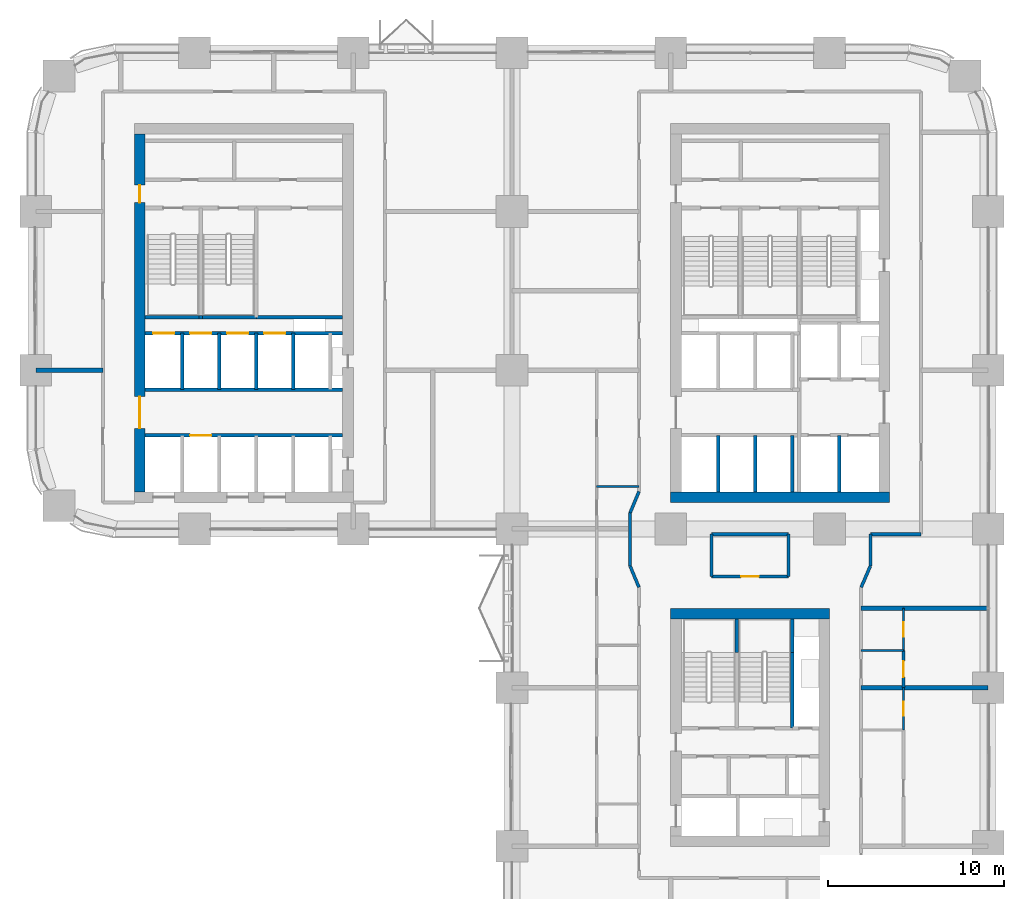
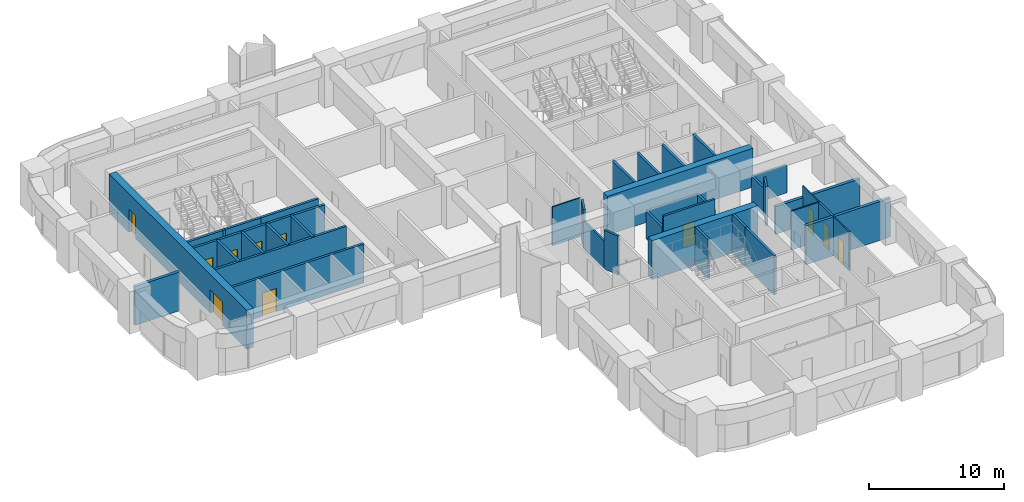
# One storey, part 13 of 18: 39 walls, 11 doors, 11 openings.
"""IFC4 building model written with IfcOpenShell, lengths in metres."""

from ifc_helpers import new_model, si_unit, direction, frame, frame_2d, origin, place, context, subcontext, project, spatial, rectangle, extrude, material, layer, layer_set, type_object, element, fill, save


model = new_model("IFC4")

# Units and contexts
model_context = context("Model", 3, precision=1e-05, world=origin(), true_north=direction((0.0, 1.0)))
body_context = subcontext(model_context, "Body", "Model", "MODEL_VIEW")
ifc_project = project(units=[si_unit("LENGTHUNIT", "METRE"), si_unit("AREAUNIT", "SQUARE_METRE"), si_unit("VOLUMEUNIT", "CUBIC_METRE"), si_unit("PLANEANGLEUNIT", "RADIAN"), si_unit("MASSUNIT", "GRAM", prefix="KILO")], contexts=[model_context])

# Site, building, storey
site_placement = place(None, origin())
site = spatial("IfcSite", under=ifc_project, at=site_placement, CompositionType="ELEMENT")
building_placement = place(site_placement, origin())
building = spatial("IfcBuilding", under=site, at=building_placement, Name="Tessera Arch", CompositionType="ELEMENT")
storey_placement = place(building_placement, frame((0.0, 0.0, 100.60009765625)))
storey = spatial("IfcBuildingStorey", under=building, at=storey_placement, Name="L23", CompositionType="ELEMENT", Elevation=100.60009765625)

# Wall
ifc_material_1 = material(Name="Concrete C70/85", Category="concrete")
ifc_layer_1 = layer(ifc_material_1, 0.60009765625)
ifc_layer_set_1 = layer_set([ifc_layer_1], Name="Core shell wall 600 C70-85")
wall_type_1 = type_object("IfcWallType", Name="Core shell wall 600 C70-85", PredefinedType="SHEAR", material=ifc_layer_set_1)
wall_1_placement = place(storey_placement, frame((36.0, 28.800048828125, 0.0), z_axis=(0.0, 0.0, 1.0), x_axis=(1.0, 0.0, 0.0)))
element("IfcWall", 1, at=wall_1_placement, inside=storey, type_object=wall_type_1, Name="L23 C1 core wall S", PredefinedType="SHEAR", context=body_context, shape_type="SweptSolid", body=[
    extrude(rectangle(XDim=12.39990234375, YDim=0.60009765625, at=frame_2d((6.199951171875, 0.0))), origin(), (0.0, 0.0, 1.0), 3.5),
])

# Wall, openings, doors
wall_2_placement = place(storey_placement, frame((5.89990234375, 29.10009765625, 0.0), z_axis=(0.0, 0.0, 1.0), x_axis=(0.0, 1.0, 0.0)))
wall_2 = element("IfcWall", 2, at=wall_2_placement, inside=storey, type_object=wall_type_1, Name="L23 C2 core wall W", PredefinedType="SHEAR", context=body_context, shape_type="SweptSolid", body=[
    extrude(rectangle(XDim=20.2998046875, YDim=0.60009765625, at=frame_2d((10.14990234375, 0.0))), origin(), (0.0, 0.0, 1.0), 3.5),
])
opening_1_placement = place(wall_2_placement, frame((3.60009765625, 0.0, 0.0)))
opening_1 = element("IfcOpeningElement", 3, at=opening_1_placement, cuts=wall_2, Name="Opening L23-C24", PredefinedType="OPENING", context=body_context, shape_type="SweptSolid", body=[
    extrude(rectangle(XDim=1.800048828125, YDim=2.10009765625, at=frame_2d((0.89990234375, 1.050048828125))), frame((0.0, 0.31005859375, 0.0), z_axis=(0.0, -1.0, 0.0), x_axis=(1.0, 0.0, 0.0)), (0.0, 0.0, 1.0), 0.6201171875),
])
opening_2_placement = place(wall_2_placement, frame((16.39990234375, 0.0, 0.0)))
opening_2 = element("IfcOpeningElement", 4, at=opening_2_placement, cuts=wall_2, Name="Opening L23-C27", PredefinedType="OPENING", context=body_context, shape_type="SweptSolid", body=[
    extrude(rectangle(XDim=1.0, YDim=2.10009765625, at=frame_2d((0.5, 1.050048828125))), frame((0.0, 0.31005859375, 0.0), z_axis=(0.0, -1.0, 0.0), x_axis=(1.0, 0.0, 0.0)), (0.0, 0.0, 1.0), 0.6201171875),
])
ifc_material_2 = material(Name="Steel door leaf", Category="steel")
door_type_1 = type_object("IfcDoorType", Name="Corridor door FD60 1000 x 2100", OperationType="SINGLE_SWING_LEFT", PredefinedType="DOOR", material=ifc_material_2)
door_1_placement = place(opening_2_placement, origin())
door_1 = element("IfcDoor", 5, at=door_1_placement, inside=storey, type_object=door_type_1, Name="L23 C2 door 14 C27 type D12", OperationType="SINGLE_SWING_RIGHT", OverallHeight=2.10009765625, OverallWidth=1.0, PredefinedType="DOOR", context=body_context, shape_type="SweptSolid", body=[
    extrude(rectangle(XDim=1.0, YDim=2.10009765625, at=frame_2d((0.5, 1.050048828125))), frame((0.0, 0.02490234375, 0.0), z_axis=(0.0, -1.0, 0.0), x_axis=(1.0, 0.0, 0.0)), (0.0, 0.0, 1.0), 0.050048828125),
])
fill(opening_2, door_1)
ifc_material_3 = material(Name="Glazed steel door leaf", Category="steel")
door_type_2 = type_object("IfcDoorType", Name="Lobby double door FD30S 1800 x 2100", OperationType="DOUBLE_DOOR_SINGLE_SWING", PredefinedType="DOOR", material=ifc_material_3)
door_2_placement = place(opening_1_placement, origin())
door_2 = element("IfcDoor", 6, at=door_2_placement, inside=storey, type_object=door_type_2, Name="L23 C2 door 11 C24 type D06", OperationType="DOUBLE_DOOR_SINGLE_SWING", OverallHeight=2.10009765625, OverallWidth=1.800048828125, PredefinedType="DOOR", context=body_context, shape_type="SweptSolid", body=[
    extrude(rectangle(XDim=1.800048828125, YDim=2.10009765625, at=frame_2d((0.89990234375, 1.050048828125))), frame((0.0, 0.02490234375, 0.0), z_axis=(0.0, -1.0, 0.0), x_axis=(1.0, 0.0, 0.0)), (0.0, 0.0, 1.0), 0.050048828125),
])
fill(opening_1, door_2)

# Wall
wall_3_placement = place(storey_placement, frame((36.0, 22.199951171875, 0.0), z_axis=(0.0, 0.0, 1.0), x_axis=(1.0, 0.0, 0.0)))
element("IfcWall", 7, at=wall_3_placement, inside=storey, type_object=wall_type_1, Name="L23 C3 core wall N", PredefinedType="SHEAR", context=body_context, shape_type="SweptSolid", body=[
    extrude(rectangle(XDim=9.0, YDim=0.60009765625, at=frame_2d((4.5, 0.0))), origin(), (0.0, 0.0, 1.0), 3.5),
])

# Wall, opening, door
ifc_material_4 = material(Name="Gypsum board on deep steel stud with mineral wool", Category="steel")
ifc_layer_2 = layer(ifc_material_4, 0.175048828125)
ifc_layer_set_2 = layer_set([ifc_layer_2], Name="Corridor wall 175 EI 60")
wall_type_2 = type_object("IfcWallType", Name="Corridor wall 175 EI 60", PredefinedType="PARTITIONING", material=ifc_layer_set_2)
wall_4_placement = place(storey_placement, frame((38.320068359375, 24.300048828125, 0.0), z_axis=(0.0, 0.0, 1.0), x_axis=(1.0, 0.0, 0.0)))
wall_4 = element("IfcWall", 8, at=wall_4_placement, inside=storey, type_object=wall_type_2, Name="L23 partition 2", PredefinedType="PARTITIONING", context=body_context, shape_type="SweptSolid", body=[
    extrude(rectangle(XDim=4.35986328125, YDim=0.175048828125, at=frame_2d((2.179931640625, 0.0))), origin(), (0.0, 0.0, 1.0), 3.5),
])
opening_3_placement = place(wall_4_placement, frame((1.679931640625, 0.0, 0.0)))
opening_3 = element("IfcOpeningElement", 9, at=opening_3_placement, cuts=wall_4, Name="Opening L23-D018", PredefinedType="OPENING", context=body_context, shape_type="SweptSolid", body=[
    extrude(rectangle(XDim=1.0, YDim=2.10009765625, at=frame_2d((0.5, 1.050048828125))), frame((0.0, 0.097412109375, 0.0), z_axis=(0.0, -1.0, 0.0), x_axis=(1.0, 0.0, 0.0)), (0.0, 0.0, 1.0), 0.195068359375),
])
ifc_material_5 = material(Name="Fire-rated door leaf")
door_type_3 = type_object("IfcDoorType", Name="Entrance door FD30S 1000 x 2100", OperationType="SINGLE_SWING_LEFT", PredefinedType="DOOR", material=ifc_material_5)
door_3_placement = place(opening_3_placement, origin())
door_3 = element("IfcDoor", 10, at=door_3_placement, inside=storey, type_object=door_type_3, Name="L23 door D018 type D03", OperationType="SINGLE_SWING_RIGHT", OverallHeight=2.10009765625, OverallWidth=1.0, PredefinedType="DOOR", context=body_context, shape_type="SweptSolid", body=[
    extrude(rectangle(XDim=1.0, YDim=2.10009765625, at=frame_2d((0.5, 1.050048828125))), frame((0.0, 0.02490234375, 0.0), z_axis=(0.0, -1.0, 0.0), x_axis=(1.0, 0.0, 0.0)), (0.0, 0.0, 1.0), 0.050048828125),
])
fill(opening_3, door_3)

# Walls
wall_5_placement = place(storey_placement, frame((38.320068359375, 26.699951171875, 0.0), z_axis=(0.0, 0.0, 1.0), x_axis=(1.0, 0.0, 0.0)))
element("IfcWall", 11, at=wall_5_placement, inside=storey, type_object=wall_type_2, Name="L23 partition 3", PredefinedType="PARTITIONING", context=body_context, shape_type="SweptSolid", body=[
    extrude(rectangle(XDim=4.35986328125, YDim=0.175048828125, at=frame_2d((2.179931640625, 0.0))), origin(), (0.0, 0.0, 1.0), 2.5),
])
wall_6_placement = place(storey_placement, frame((47.320068359375, 26.699951171875, 0.0), z_axis=(0.0, 0.0, 1.0), x_axis=(1.0, 0.0, 0.0)))
element("IfcWall", 12, at=wall_6_placement, inside=storey, type_object=wall_type_2, Name="L23 partition 4", PredefinedType="PARTITIONING", context=body_context, shape_type="SweptSolid", body=[
    extrude(rectangle(XDim=2.8798828125, YDim=0.175048828125, at=frame_2d((1.43994140625, 0.0))), origin(), (0.0, 0.0, 1.0), 2.5),
])
wall_7_placement = place(storey_placement, frame((33.699951171875, 24.889892578125, 0.0), z_axis=(0.0, 0.0, 1.0), x_axis=(0.0, 1.0, 0.0)))
element("IfcWall", 13, at=wall_7_placement, inside=storey, type_object=wall_type_2, Name="L23 partition 11", PredefinedType="PARTITIONING", context=body_context, shape_type="SweptSolid", body=[
    extrude(rectangle(XDim=3.030029296875, YDim=0.175048828125, at=frame_2d((1.51513671875, 0.0))), origin(), (0.0, 0.0, 1.0), 2.5),
])
for number, where, z_axis, x_axis, name in (
    (14, (38.320068359375, 24.300048828125, 0.0), (0.0, 0.0, 1.0), (0.0, 1.0, 0.0), "L23 partition 14"),
    (15, (42.679931640625, 24.300048828125, 0.0), (0.0, 0.0, 1.0), (0.0, 1.0, 0.0), "L23 partition 15"),
):
    element("IfcWall", number, at=place(storey_placement, frame(where, z_axis=z_axis, x_axis=x_axis)), inside=storey, type_object=wall_type_2, Name=name, PredefinedType="PARTITIONING", context=body_context, shape_type="SweptSolid", body=[
        extrude(rectangle(XDim=2.39990234375, YDim=0.175048828125, at=frame_2d((1.199951171875, 0.0))), origin(), (0.0, 0.0, 1.0), 2.5),
    ])
wall_8_placement = place(storey_placement, frame((47.320068359375, 24.889892578125, 0.0), z_axis=(0.0, 0.0, 1.0), x_axis=(0.0, 1.0, 0.0)))
element("IfcWall", 16, at=wall_8_placement, inside=storey, type_object=wall_type_2, Name="L23 partition 17", PredefinedType="PARTITIONING", context=body_context, shape_type="SweptSolid", body=[
    extrude(rectangle(XDim=1.81005859375, YDim=0.175048828125, at=frame_2d((0.905029296875, 0.0))), origin(), (0.0, 0.0, 1.0), 2.5),
])
wall_9_placement = place(storey_placement, frame((34.199951171875, 23.68994140625, 0.0), z_axis=(0.0, 0.0, 1.0), x_axis=(-0.384628719983, 0.923071366561, 0.0)))
element("IfcWall", 17, at=wall_9_placement, inside=storey, type_object=wall_type_2, Name="L23 partition 59", PredefinedType="PARTITIONING", context=body_context, shape_type="SweptSolid", body=[
    extrude(rectangle(XDim=1.300048828125, YDim=0.175048828125, at=frame_2d((0.64990234375, 0.0))), origin(), (0.0, 0.0, 1.0), 3.5),
])
wall_10_placement = place(storey_placement, frame((47.320068359375, 24.889892578125, 0.0), z_axis=(0.0, 0.0, 1.0), x_axis=(-0.397633632391, -0.917544273804, 0.0)))
element("IfcWall", 18, at=wall_10_placement, inside=storey, type_object=wall_type_2, Name="L23 partition 60", PredefinedType="PARTITIONING", context=body_context, shape_type="SweptSolid", body=[
    extrude(rectangle(XDim=1.307861328125, YDim=0.175048828125, at=frame_2d((0.65380859375, 0.0))), origin(), (0.0, 0.0, 1.0), 3.5),
])
wall_11_placement = place(storey_placement, frame((33.699951171875, 27.919921875, 0.0), z_axis=(0.0, 0.0, 1.0), x_axis=(0.384562051588, 0.923099143363, 0.0)))
element("IfcWall", 19, at=wall_11_placement, inside=storey, type_object=wall_type_2, Name="L23 partition 61", PredefinedType="PARTITIONING", context=body_context, shape_type="SweptSolid", body=[
    extrude(rectangle(XDim=1.30029296875, YDim=0.175048828125, at=frame_2d((0.650146484375, 0.0))), origin(), (0.0, 0.0, 1.0), 3.5),
])

# Wall, opening, door
ifc_material_6 = material(Name="Gypsum board on steel stud", Category="steel")
ifc_layer_3 = layer(ifc_material_6, 0.14990234375)
ifc_layer_set_3 = layer_set([ifc_layer_3], Name="Partition 150")
wall_type_3 = type_object("IfcWallType", Name="Partition 150", PredefinedType="PARTITIONING", material=ifc_layer_set_3)
wall_12_placement = place(storey_placement, frame((49.199951171875, 18.0, 0.0), z_axis=(0.0, 0.0, 1.0), x_axis=(0.0, 1.0, 0.0)))
wall_12 = element("IfcWall", 20, at=wall_12_placement, inside=storey, type_object=wall_type_3, Name="L23 partition 24", PredefinedType="PARTITIONING", context=body_context, shape_type="SweptSolid", body=[
    extrude(rectangle(XDim=2.10009765625, YDim=0.14990234375, at=frame_2d((1.050048828125, 0.0))), origin(), (0.0, 0.0, 1.0), 3.5),
])
opening_4_placement = place(wall_12_placement, frame((0.60009765625, 0.0, 0.0)))
opening_4 = element("IfcOpeningElement", 21, at=opening_4_placement, cuts=wall_12, Name="Opening L23-D013", PredefinedType="OPENING", context=body_context, shape_type="SweptSolid", body=[
    extrude(rectangle(XDim=0.89990234375, YDim=2.10009765625, at=frame_2d((0.449951171875, 1.050048828125))), frame((0.0, 0.0849609375, 0.0), z_axis=(0.0, -1.0, 0.0), x_axis=(1.0, 0.0, 0.0)), (0.0, 0.0, 1.0), 0.169921875),
])
ifc_material_7 = material(Name="Timber door leaf", Category="wood")
door_type_4 = type_object("IfcDoorType", Name="Room door 900 x 2100", OperationType="SINGLE_SWING_LEFT", PredefinedType="DOOR", material=ifc_material_7)
door_4_placement = place(opening_4_placement, origin())
door_4 = element("IfcDoor", 22, at=door_4_placement, inside=storey, type_object=door_type_4, Name="L23 door D013 type D01", OperationType="SINGLE_SWING_RIGHT", OverallHeight=2.10009765625, OverallWidth=0.89990234375, PredefinedType="DOOR", context=body_context, shape_type="SweptSolid", body=[
    extrude(rectangle(XDim=0.89990234375, YDim=2.10009765625, at=frame_2d((0.449951171875, 1.050048828125))), frame((0.0, 0.02490234375, 0.0), z_axis=(0.0, -1.0, 0.0), x_axis=(1.0, 0.0, 0.0)), (0.0, 0.0, 1.0), 0.050048828125),
])
fill(opening_4, door_4)

# Walls
ifc_material_8 = material(Name="Double gypsum board on twin steel stud with acoustic mineral wool", Category="steel")
ifc_layer_4 = layer(ifc_material_8, 0.25)
ifc_layer_set_4 = layer_set([ifc_layer_4], Name="Party wall 250 EI 60")
wall_type_4 = type_object("IfcWallType", Name="Party wall 250 EI 60", PredefinedType="PARTITIONING", material=ifc_layer_set_4)
wall_13_placement = place(storey_placement, frame((46.800048828125, 18.0, 0.0), z_axis=(0.0, 0.0, 1.0), x_axis=(1.0, 0.0, 0.0)))
element("IfcWall", 23, at=wall_13_placement, inside=storey, type_object=wall_type_4, Name="L23 partition 28", PredefinedType="PARTITIONING", context=body_context, shape_type="SweptSolid", body=[
    extrude(rectangle(XDim=7.199951171875, YDim=0.25, at=frame_2d((3.60009765625, 0.0))), origin(), (0.0, 0.0, 1.0), 3.5),
])
wall_14_placement = place(storey_placement, frame((46.800048828125, 22.5, 0.0), z_axis=(0.0, 0.0, 1.0), x_axis=(1.0, 0.0, 0.0)))
element("IfcWall", 24, at=wall_14_placement, inside=storey, type_object=wall_type_4, Name="L23 partition 29", PredefinedType="PARTITIONING", context=body_context, shape_type="SweptSolid", body=[
    extrude(rectangle(XDim=7.199951171875, YDim=0.25, at=frame_2d((3.60009765625, 0.0))), origin(), (0.0, 0.0, 1.0), 2.5),
])
wall_15_placement = place(storey_placement, frame((0.0, 36.0, 0.0), z_axis=(0.0, 0.0, 1.0), x_axis=(1.0, 0.0, 0.0)))
element("IfcWall", 25, at=wall_15_placement, inside=storey, type_object=wall_type_4, Name="L23 partition 31", PredefinedType="PARTITIONING", context=body_context, shape_type="SweptSolid", body=[
    extrude(rectangle(XDim=3.800048828125, YDim=0.25, at=frame_2d((1.89990234375, 0.0))), origin(), (0.0, 0.0, 1.0), 3.5),
])
ifc_material_9 = material(Name="Concrete C40/50", Category="concrete")
ifc_layer_5 = layer(ifc_material_9, 0.199951171875)
ifc_layer_set_5 = layer_set([ifc_layer_5], Name="Shaft wall 200 EI 120")
wall_type_5 = type_object("IfcWallType", Name="Shaft wall 200 EI 120", PredefinedType="SOLIDWALL", material=ifc_layer_set_5)
for number, where, z_axis, x_axis, name in (
    (26, (38.699951171875, 29.10009765625, 0.0), (0.0, 0.0, 1.0), (0.0, 1.0, 0.0), "L23 C1 shaft wall 1"),
    (27, (40.800048828125, 29.10009765625, 0.0), (0.0, 0.0, 1.0), (0.0, 1.0, 0.0), "L23 C1 shaft wall 6"),
    (28, (42.89990234375, 29.10009765625, 0.0), (0.0, 0.0, 1.0), (0.0, 1.0, 0.0), "L23 C1 shaft wall 8"),
    (29, (45.550048828125, 29.10009765625, 0.0), (0.0, 0.0, 1.0), (0.0, 1.0, 0.0), "L23 C1 shaft wall 13"),
):
    element("IfcWall", number, at=place(storey_placement, frame(where, z_axis=z_axis, x_axis=x_axis)), inside=storey, type_object=wall_type_5, Name=name, PredefinedType="SOLIDWALL", context=body_context, shape_type="SweptSolid", body=[
        extrude(rectangle(XDim=3.199951171875, YDim=0.199951171875, at=frame_2d((1.60009765625, 0.0))), origin(), (0.0, 0.0, 1.0), 3.5),
    ])
for number, where, z_axis, x_axis, name in (
    (30, (8.300048828125, 34.89990234375, 0.0), (0.0, 0.0, 1.0), (0.0, 1.0, 0.0), "L23 C2 shaft wall 2"),
    (31, (10.39990234375, 34.89990234375, 0.0), (0.0, 0.0, 1.0), (0.0, 1.0, 0.0), "L23 C2 shaft wall 6"),
    (32, (12.5, 34.89990234375, 0.0), (0.0, 0.0, 1.0), (0.0, 1.0, 0.0), "L23 C2 shaft wall 9"),
    (33, (14.60009765625, 34.89990234375, 0.0), (0.0, 0.0, 1.0), (0.0, 1.0, 0.0), "L23 C2 shaft wall 13"),
):
    element("IfcWall", number, at=place(storey_placement, frame(where, z_axis=z_axis, x_axis=x_axis)), inside=storey, type_object=wall_type_5, Name=name, PredefinedType="SOLIDWALL", context=body_context, shape_type="SweptSolid", body=[
        extrude(rectangle(XDim=3.2001953125, YDim=0.199951171875, at=frame_2d((1.60009765625, 0.0))), origin(), (0.0, 0.0, 1.0), 3.5),
    ])

# Wall, opening, door
wall_16_placement = place(storey_placement, frame((6.199951171875, 32.300048828125, 0.0), z_axis=(0.0, 0.0, 1.0), x_axis=(1.0, 0.0, 0.0)))
wall_16 = element("IfcWall", 34, at=wall_16_placement, inside=storey, type_object=wall_type_5, Name="L23 C2 shaft wall 16", PredefinedType="SOLIDWALL", context=body_context, shape_type="SweptSolid", body=[
    extrude(rectangle(XDim=11.199951171875, YDim=0.199951171875, at=frame_2d((5.60009765625, 0.0))), origin(), (0.0, 0.0, 1.0), 3.5),
])
opening_5_placement = place(wall_16_placement, frame((2.550048828125, 0.0, 0.0)))
opening_5 = element("IfcOpeningElement", 35, at=opening_5_placement, cuts=wall_16, Name="Opening L23-C15", PredefinedType="OPENING", context=body_context, shape_type="SweptSolid", body=[
    extrude(rectangle(XDim=1.199951171875, YDim=2.10009765625, at=frame_2d((0.60009765625, 1.050048828125))), frame((0.0, 0.10986328125, 0.0), z_axis=(0.0, -1.0, 0.0), x_axis=(1.0, 0.0, 0.0)), (0.0, 0.0, 1.0), 0.219970703125),
])
ifc_material_10 = material(Name="Stainless steel AISI 304", Category="steel")
door_type_5 = type_object("IfcDoorType", Name="Sliding landing door 1200 x 2100", OperationType="SLIDING_TO_LEFT", PredefinedType="DOOR", material=ifc_material_10)
door_5_placement = place(opening_5_placement, origin())
door_5 = element("IfcDoor", 36, at=door_5_placement, inside=storey, type_object=door_type_5, Name="L23 LR2 lift landing door C15 type LD", OperationType="SLIDING_TO_LEFT", OverallHeight=2.10009765625, OverallWidth=1.199951171875, PredefinedType="DOOR", context=body_context, shape_type="SweptSolid", body=[
    extrude(rectangle(XDim=1.199951171875, YDim=2.10009765625, at=frame_2d((0.60009765625, 1.050048828125))), frame((0.0, 0.02490234375, 0.0), z_axis=(0.0, -1.0, 0.0), x_axis=(1.0, 0.0, 0.0)), (0.0, 0.0, 1.0), 0.050048828125),
])
fill(opening_5, door_5)

# Wall
wall_17_placement = place(storey_placement, frame((6.199951171875, 34.89990234375, 0.0), z_axis=(0.0, 0.0, 1.0), x_axis=(1.0, 0.0, 0.0)))
element("IfcWall", 37, at=wall_17_placement, inside=storey, type_object=wall_type_5, Name="L23 C2 shaft wall 17", PredefinedType="SOLIDWALL", context=body_context, shape_type="SweptSolid", body=[
    extrude(rectangle(XDim=11.199951171875, YDim=0.199951171875, at=frame_2d((5.60009765625, 0.0))), origin(), (0.0, 0.0, 1.0), 3.5),
])

# Wall, openings, doors
wall_18_placement = place(storey_placement, frame((6.199951171875, 38.10009765625, 0.0), z_axis=(0.0, 0.0, 1.0), x_axis=(1.0, 0.0, 0.0)))
wall_18 = element("IfcWall", 38, at=wall_18_placement, inside=storey, type_object=wall_type_5, Name="L23 C2 shaft wall 18", PredefinedType="SOLIDWALL", context=body_context, shape_type="SweptSolid", body=[
    extrude(rectangle(XDim=11.199951171875, YDim=0.199951171875, at=frame_2d((5.60009765625, 0.0))), origin(), (0.0, 0.0, 1.0), 3.5),
])
opening_6_placement = place(wall_18_placement, frame((0.449951171875, 0.0, 0.0)))
opening_6 = element("IfcOpeningElement", 39, at=opening_6_placement, cuts=wall_18, Name="Opening L23-C18", PredefinedType="OPENING", context=body_context, shape_type="SweptSolid", body=[
    extrude(rectangle(XDim=1.199951171875, YDim=2.10009765625, at=frame_2d((0.60009765625, 1.050048828125))), frame((0.0, 0.10986328125, 0.0), z_axis=(0.0, -1.0, 0.0), x_axis=(1.0, 0.0, 0.0)), (0.0, 0.0, 1.0), 0.219970703125),
])
opening_7_placement = place(wall_18_placement, frame((2.550048828125, 0.0, 0.0)))
opening_7 = element("IfcOpeningElement", 40, at=opening_7_placement, cuts=wall_18, Name="Opening L23-C19", PredefinedType="OPENING", context=body_context, shape_type="SweptSolid", body=[
    extrude(rectangle(XDim=1.199951171875, YDim=2.10009765625, at=frame_2d((0.60009765625, 1.050048828125))), frame((0.0, 0.10986328125, 0.0), z_axis=(0.0, -1.0, 0.0), x_axis=(1.0, 0.0, 0.0)), (0.0, 0.0, 1.0), 0.219970703125),
])
opening_8_placement = place(wall_18_placement, frame((4.64990234375, 0.0, 0.0)))
opening_8 = element("IfcOpeningElement", 41, at=opening_8_placement, cuts=wall_18, Name="Opening L23-C20", PredefinedType="OPENING", context=body_context, shape_type="SweptSolid", body=[
    extrude(rectangle(XDim=1.199951171875, YDim=2.10009765625, at=frame_2d((0.60009765625, 1.050048828125))), frame((0.0, 0.10986328125, 0.0), z_axis=(0.0, -1.0, 0.0), x_axis=(1.0, 0.0, 0.0)), (0.0, 0.0, 1.0), 0.219970703125),
])
opening_9_placement = place(wall_18_placement, frame((6.75, 0.0, 0.0)))
opening_9 = element("IfcOpeningElement", 42, at=opening_9_placement, cuts=wall_18, Name="Opening L23-C21", PredefinedType="OPENING", context=body_context, shape_type="SweptSolid", body=[
    extrude(rectangle(XDim=1.199951171875, YDim=2.10009765625, at=frame_2d((0.60009765625, 1.050048828125))), frame((0.0, 0.10986328125, 0.0), z_axis=(0.0, -1.0, 0.0), x_axis=(1.0, 0.0, 0.0)), (0.0, 0.0, 1.0), 0.219970703125),
])
door_6_placement = place(opening_6_placement, origin())
door_6 = element("IfcDoor", 43, at=door_6_placement, inside=storey, type_object=door_type_5, Name="L23 LR5 lift landing door C18 type LD", OperationType="SLIDING_TO_LEFT", OverallHeight=2.10009765625, OverallWidth=1.199951171875, PredefinedType="DOOR", context=body_context, shape_type="SweptSolid", body=[
    extrude(rectangle(XDim=1.199951171875, YDim=2.10009765625, at=frame_2d((0.60009765625, 1.050048828125))), frame((0.0, 0.02490234375, 0.0), z_axis=(0.0, -1.0, 0.0), x_axis=(1.0, 0.0, 0.0)), (0.0, 0.0, 1.0), 0.050048828125),
])
fill(opening_6, door_6)
door_7_placement = place(opening_7_placement, origin())
door_7 = element("IfcDoor", 44, at=door_7_placement, inside=storey, type_object=door_type_5, Name="L23 LR6 lift landing door C19 type LD", OperationType="SLIDING_TO_LEFT", OverallHeight=2.10009765625, OverallWidth=1.199951171875, PredefinedType="DOOR", context=body_context, shape_type="SweptSolid", body=[
    extrude(rectangle(XDim=1.199951171875, YDim=2.10009765625, at=frame_2d((0.60009765625, 1.050048828125))), frame((0.0, 0.02490234375, 0.0), z_axis=(0.0, -1.0, 0.0), x_axis=(1.0, 0.0, 0.0)), (0.0, 0.0, 1.0), 0.050048828125),
])
fill(opening_7, door_7)
door_8_placement = place(opening_8_placement, origin())
door_8 = element("IfcDoor", 45, at=door_8_placement, inside=storey, type_object=door_type_5, Name="L23 LR7 lift landing door C20 type LD", OperationType="SLIDING_TO_LEFT", OverallHeight=2.10009765625, OverallWidth=1.199951171875, PredefinedType="DOOR", context=body_context, shape_type="SweptSolid", body=[
    extrude(rectangle(XDim=1.199951171875, YDim=2.10009765625, at=frame_2d((0.60009765625, 1.050048828125))), frame((0.0, 0.02490234375, 0.0), z_axis=(0.0, -1.0, 0.0), x_axis=(1.0, 0.0, 0.0)), (0.0, 0.0, 1.0), 0.050048828125),
])
fill(opening_8, door_8)
door_9_placement = place(opening_9_placement, origin())
door_9 = element("IfcDoor", 46, at=door_9_placement, inside=storey, type_object=door_type_5, Name="L23 LR8 lift landing door C21 type LD", OperationType="SLIDING_TO_LEFT", OverallHeight=2.10009765625, OverallWidth=1.199951171875, PredefinedType="DOOR", context=body_context, shape_type="SweptSolid", body=[
    extrude(rectangle(XDim=1.199951171875, YDim=2.10009765625, at=frame_2d((0.60009765625, 1.050048828125))), frame((0.0, 0.02490234375, 0.0), z_axis=(0.0, -1.0, 0.0), x_axis=(1.0, 0.0, 0.0)), (0.0, 0.0, 1.0), 0.050048828125),
])
fill(opening_9, door_9)

# Walls
wall_19_placement = place(storey_placement, frame((12.5, 39.0, 0.0), z_axis=(0.0, 0.0, 1.0), x_axis=(1.0, 0.0, 0.0)))
element("IfcWall", 47, at=wall_19_placement, inside=storey, type_object=wall_type_5, Name="L23 C2 shaft wall 19", PredefinedType="SOLIDWALL", context=body_context, shape_type="SweptSolid", body=[
    extrude(rectangle(XDim=4.89990234375, YDim=0.199951171875, at=frame_2d((2.449951171875, 0.0))), origin(), (0.0, 0.0, 1.0), 3.5),
])
ifc_material_11 = material(Name="Concrete C40/50", Category="concrete")
ifc_layer_6 = layer(ifc_material_11, 0.199951171875)
ifc_layer_set_6 = layer_set([ifc_layer_6], Name="Stair well wall 200 REI 180")
wall_type_6 = type_object("IfcWallType", Name="Stair well wall 200 REI 180", PredefinedType="SOLIDWALL", material=ifc_layer_set_6)
wall_20_placement = place(storey_placement, frame((6.199951171875, 39.0, 0.0), z_axis=(0.0, 0.0, 1.0), x_axis=(1.0, 0.0, 0.0)))
element("IfcWall", 48, at=wall_20_placement, inside=storey, type_object=wall_type_6, Name="L23 C2 shaft wall 20", PredefinedType="SOLIDWALL", context=body_context, shape_type="SweptSolid", body=[
    extrude(rectangle(XDim=3.050048828125, YDim=0.199951171875, at=frame_2d((1.52490234375, 0.0))), origin(), (0.0, 0.0, 1.0), 3.5),
])
wall_21_placement = place(storey_placement, frame((9.25, 39.0, 0.0), z_axis=(0.0, 0.0, 1.0), x_axis=(1.0, 0.0, 0.0)))
element("IfcWall", 49, at=wall_21_placement, inside=storey, type_object=wall_type_6, Name="L23 C2 shaft wall 21", PredefinedType="SOLIDWALL", context=body_context, shape_type="SweptSolid", body=[
    extrude(rectangle(XDim=0.199951171875, YDim=0.199951171875, at=frame_2d((0.10009765625, 0.0))), origin(), (0.0, 0.0, 1.0), 3.5),
])
wall_22_placement = place(storey_placement, frame((9.449951171875, 39.0, 0.0), z_axis=(0.0, 0.0, 1.0), x_axis=(1.0, 0.0, 0.0)))
element("IfcWall", 50, at=wall_22_placement, inside=storey, type_object=wall_type_6, Name="L23 C2 shaft wall 22", PredefinedType="SOLIDWALL", context=body_context, shape_type="SweptSolid", body=[
    extrude(rectangle(XDim=3.050048828125, YDim=0.199951171875, at=frame_2d((1.52490234375, 0.0))), origin(), (0.0, 0.0, 1.0), 3.5),
])
wall_23_placement = place(storey_placement, frame((39.75, 20.0, 0.0), z_axis=(0.0, 0.0, 1.0), x_axis=(0.0, 1.0, 0.0)))
element("IfcWall", 51, at=wall_23_placement, inside=storey, type_object=wall_type_6, Name="L23 C3 shaft wall 3", PredefinedType="SOLIDWALL", context=body_context, shape_type="SweptSolid", body=[
    extrude(rectangle(XDim=1.89990234375, YDim=0.199951171875, at=frame_2d((0.949951171875, 0.0))), origin(), (0.0, 0.0, 1.0), 3.5),
])
wall_24_placement = place(storey_placement, frame((42.89990234375, 15.699951171875, 0.0), z_axis=(0.0, 0.0, 1.0), x_axis=(0.0, 1.0, 0.0)))
element("IfcWall", 52, at=wall_24_placement, inside=storey, type_object=wall_type_6, Name="L23 C3 shaft wall 6", PredefinedType="SOLIDWALL", context=body_context, shape_type="SweptSolid", body=[
    extrude(rectangle(XDim=4.300048828125, YDim=0.199951171875, at=frame_2d((2.14990234375, 0.0))), origin(), (0.0, 0.0, 1.0), 3.5),
])
wall_25_placement = place(storey_placement, frame((42.89990234375, 20.0, 0.0), z_axis=(0.0, 0.0, 1.0), x_axis=(0.0, 1.0, 0.0)))
element("IfcWall", 53, at=wall_25_placement, inside=storey, type_object=wall_type_6, Name="L23 C3 shaft wall 7", PredefinedType="SOLIDWALL", context=body_context, shape_type="SweptSolid", body=[
    extrude(rectangle(XDim=1.89990234375, YDim=0.199951171875, at=frame_2d((0.949951171875, 0.0))), origin(), (0.0, 0.0, 1.0), 3.5),
])
ifc_material_12 = material(Name="Moisture-resistant board on pre-plumbed steel stud", Category="steel")
ifc_layer_7 = layer(ifc_material_12, 0.10009765625)
ifc_layer_set_7 = layer_set([ifc_layer_7], Name="Wet wall 100")
wall_type_7 = type_object("IfcWallType", Name="Wet wall 100", PredefinedType="PARTITIONING", material=ifc_layer_set_7)
for number, where, z_axis, x_axis, name in (
    (54, (46.800048828125, 20.10009765625, 0.0), (0.0, 0.0, 1.0), (1.0, 0.0, 0.0), "L23 partition 50"),
    (55, (31.800048828125, 29.39990234375, 0.0), (0.0, 0.0, 1.0), (1.0, 0.0, 0.0), "L23 partition 52"),
):
    element("IfcWall", number, at=place(storey_placement, frame(where, z_axis=z_axis, x_axis=x_axis)), inside=storey, type_object=wall_type_7, Name=name, PredefinedType="PARTITIONING", context=body_context, shape_type="SweptSolid", body=[
        extrude(rectangle(XDim=2.39990234375, YDim=0.10009765625, at=frame_2d((1.199951171875, 0.0))), origin(), (0.0, 0.0, 1.0), 3.5),
    ])

# Wall, opening, door
wall_26_placement = place(storey_placement, frame((49.199951171875, 15.60009765625, 0.0), z_axis=(0.0, 0.0, 1.0), x_axis=(0.0, 1.0, 0.0)))
wall_26 = element("IfcWall", 56, at=wall_26_placement, inside=storey, type_object=wall_type_7, Name="L23 partition 57", PredefinedType="PARTITIONING", context=body_context, shape_type="SweptSolid", body=[
    extrude(rectangle(XDim=2.39990234375, YDim=0.10009765625, at=frame_2d((1.199951171875, 0.0))), origin(), (0.0, 0.0, 1.0), 3.5),
])
opening_10_placement = place(wall_26_placement, frame((0.800048828125, 0.0, 0.0)))
opening_10 = element("IfcOpeningElement", 57, at=opening_10_placement, cuts=wall_26, Name="Opening L23-D011", PredefinedType="OPENING", context=body_context, shape_type="SweptSolid", body=[
    extrude(rectangle(XDim=0.800048828125, YDim=2.10009765625, at=frame_2d((0.39990234375, 1.050048828125))), frame((0.0, 0.06005859375, 0.0), z_axis=(0.0, -1.0, 0.0), x_axis=(1.0, 0.0, 0.0)), (0.0, 0.0, 1.0), 0.1201171875),
])
ifc_material_13 = material(Name="Timber door leaf", Category="wood")
door_type_6 = type_object("IfcDoorType", Name="En-suite door 800 x 2100", OperationType="SINGLE_SWING_LEFT", PredefinedType="DOOR", material=ifc_material_13)
door_10_placement = place(opening_10_placement, origin())
door_10 = element("IfcDoor", 58, at=door_10_placement, inside=storey, type_object=door_type_6, Name="L23 door D011 type D02", OperationType="SINGLE_SWING_RIGHT", OverallHeight=2.10009765625, OverallWidth=0.800048828125, PredefinedType="DOOR", context=body_context, shape_type="SweptSolid", body=[
    extrude(rectangle(XDim=0.800048828125, YDim=2.10009765625, at=frame_2d((0.39990234375, 1.050048828125))), frame((0.0, 0.02490234375, 0.0), z_axis=(0.0, -1.0, 0.0), x_axis=(1.0, 0.0, 0.0)), (0.0, 0.0, 1.0), 0.050048828125),
])
fill(opening_10, door_10)

wall_27_placement = place(storey_placement, frame((49.199951171875, 20.10009765625, 0.0), z_axis=(0.0, 0.0, 1.0), x_axis=(0.0, 1.0, 0.0)))
wall_27 = element("IfcWall", 59, at=wall_27_placement, inside=storey, type_object=wall_type_7, Name="L23 partition 58", PredefinedType="PARTITIONING", context=body_context, shape_type="SweptSolid", body=[
    extrude(rectangle(XDim=2.39990234375, YDim=0.10009765625, at=frame_2d((1.199951171875, 0.0))), origin(), (0.0, 0.0, 1.0), 3.5),
])
opening_11_placement = place(wall_27_placement, frame((0.800048828125, 0.0, 0.0)))
opening_11 = element("IfcOpeningElement", 60, at=opening_11_placement, cuts=wall_27, Name="Opening L23-D014", PredefinedType="OPENING", context=body_context, shape_type="SweptSolid", body=[
    extrude(rectangle(XDim=0.800048828125, YDim=2.10009765625, at=frame_2d((0.39990234375, 1.050048828125))), frame((0.0, 0.06005859375, 0.0), z_axis=(0.0, -1.0, 0.0), x_axis=(1.0, 0.0, 0.0)), (0.0, 0.0, 1.0), 0.1201171875),
])
door_11_placement = place(opening_11_placement, origin())
door_11 = element("IfcDoor", 61, at=door_11_placement, inside=storey, type_object=door_type_6, Name="L23 door D014 type D02", OperationType="SINGLE_SWING_LEFT", OverallHeight=2.10009765625, OverallWidth=0.800048828125, PredefinedType="DOOR", context=body_context, shape_type="SweptSolid", body=[
    extrude(rectangle(XDim=0.800048828125, YDim=2.10009765625, at=frame_2d((0.39990234375, 1.050048828125))), frame((0.0, 0.02490234375, 0.0), z_axis=(0.0, -1.0, 0.0), x_axis=(1.0, 0.0, 0.0)), (0.0, 0.0, 1.0), 0.050048828125),
])
fill(opening_11, door_11)

save(model, "model.ifc")
